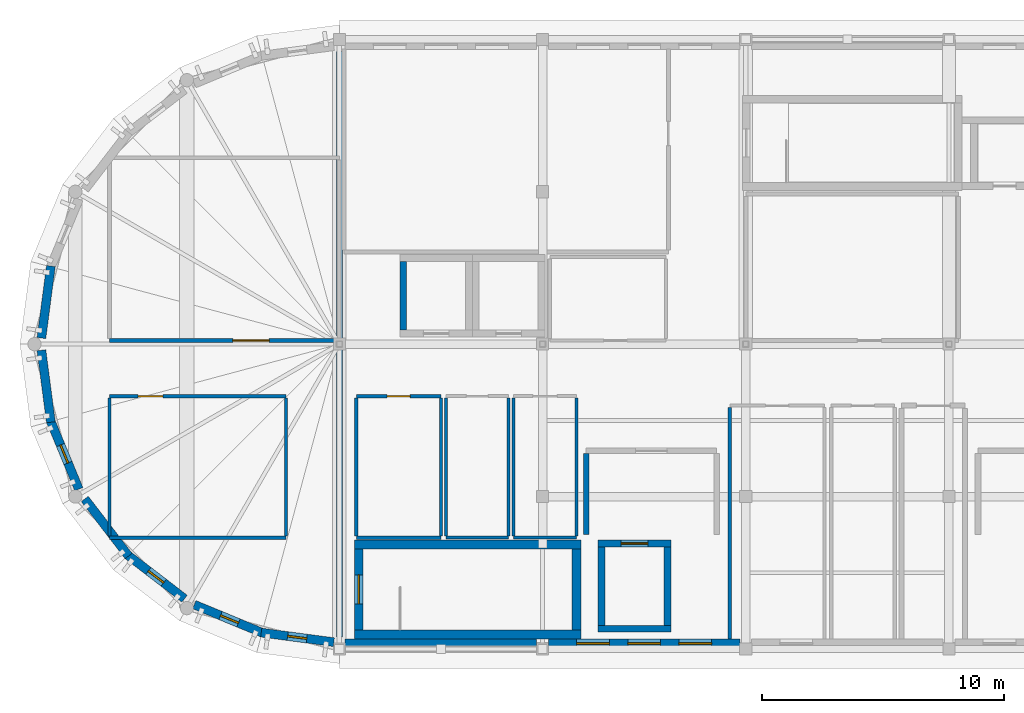
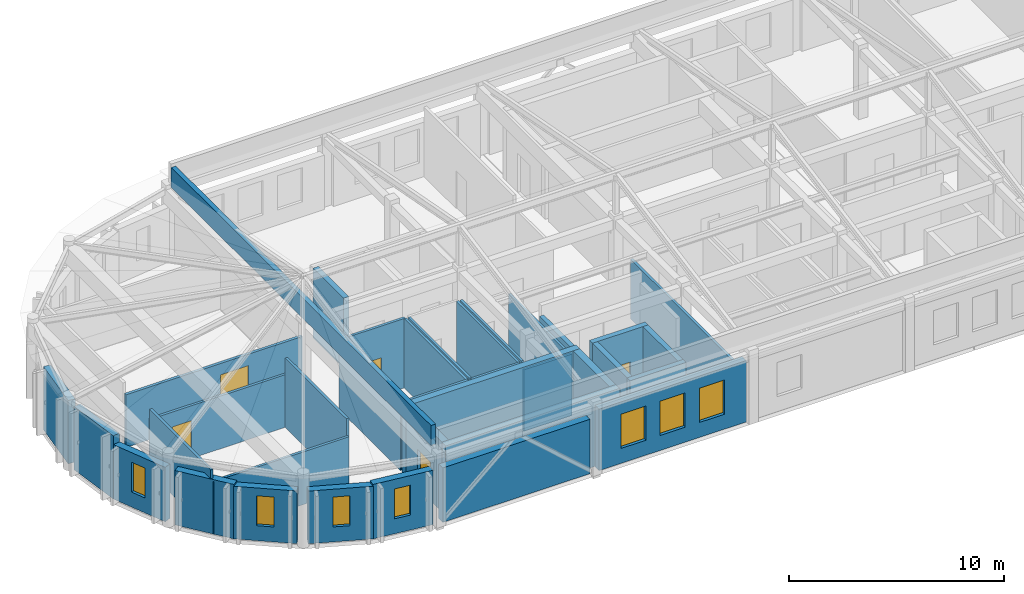
# One storey, part 6 of 11: 36 walls, 7 windows, 5 doors, 12 openings.
"""IFC4 building model written with IfcOpenShell, lengths in metres."""

from ifc_helpers import new_model, si_unit, direction, frame, frame_2d, origin, place, context, subcontext, project, spatial, rectangle, extrude, material, layer, layer_set, type_object, element, fill, save


model = new_model("IFC4")

# Units and contexts
model_context = context("Model", 3, precision=1e-05, world=origin(), true_north=direction((0.0, 1.0)))
body_context = subcontext(model_context, "Body", "Model", "MODEL_VIEW")
ifc_project = project(units=[si_unit("LENGTHUNIT", "METRE"), si_unit("AREAUNIT", "SQUARE_METRE"), si_unit("VOLUMEUNIT", "CUBIC_METRE"), si_unit("PLANEANGLEUNIT", "RADIAN"), si_unit("MASSUNIT", "GRAM", prefix="KILO")], contexts=[model_context])

# Site, building, storey
site_placement = place(None, origin())
site = spatial("IfcSite", under=ifc_project, at=site_placement, CompositionType="ELEMENT")
building_placement = place(site_placement, origin())
building = spatial("IfcBuilding", under=site, at=building_placement, Name="Tarnavel Promenade Courthouse", CompositionType="ELEMENT")
storey_placement = place(building_placement, frame((0.0, 0.0, 35.39990234375)))
storey = spatial("IfcBuildingStorey", under=building, at=storey_placement, Name="L09", CompositionType="ELEMENT", Elevation=35.39990234375)

# Wall, opening, door
ifc_material_1 = material(Name="Acoustic Insulated Gypsum Stud Partition", Category="gypsum")
ifc_layer_1 = layer(ifc_material_1, 0.14990234375)
ifc_layer_set_1 = layer_set([ifc_layer_1], Name="Acoustic Insulated Gypsum Stud Partition")
wall_type_1 = type_object("IfcWallType", Name="Acoustic Insulated Gypsum Stud Partition WL-LIB-150 (150 mm)", PredefinedType="PARTITIONING", material=ifc_layer_set_1)
wall_1_placement = place(storey_placement, frame((58.800048828125, 91.949951171875, 0.0), z_axis=(0.0, 0.0, 1.0), x_axis=(-1.0, 0.0, 0.0)))
wall_1 = element("IfcWall", 1, at=wall_1_placement, inside=storey, type_object=wall_type_1, Name="L09 L09 West Drum Rotunda Library North Partition 1046", PredefinedType="PARTITIONING", context=body_context, shape_type="SweptSolid", body=[
    extrude(rectangle(XDim=9.5, YDim=0.14990234375, at=frame_2d((4.75, 0.0))), origin(), (0.0, 0.0, 1.0), 2.9951171875),
])
opening_1_placement = place(wall_1_placement, frame((2.905029296875, 0.0, 0.0)))
opening_1 = element("IfcOpeningElement", 2, at=opening_1_placement, cuts=wall_1, Name="Opening ID-05", PredefinedType="OPENING", context=body_context, shape_type="SweptSolid", body=[
    extrude(rectangle(XDim=1.5, YDim=2.35009765625, at=frame_2d((0.75, 1.175048828125))), frame((0.0, 0.0849609375, 0.0), z_axis=(0.0, -1.0, 0.0), x_axis=(1.0, 0.0, 0.0)), (0.0, 0.0, 1.0), 0.169921875),
])
ifc_material_2 = material(Name="Glazed Oak Law Library Double Door")
door_type_1 = type_object("IfcDoorType", Name="Glazed Oak Law Library Double Door (DR-LIB-1500x2350)", OperationType="NOTDEFINED", PredefinedType="DOOR", material=ifc_material_2)
door_1_placement = place(opening_1_placement, origin())
door_1 = element("IfcDoor", 3, at=door_1_placement, inside=storey, type_object=door_type_1, Name="L09 L09 West Drum Rotunda Library North Door 0298", OperationType="DOUBLE_DOOR_SINGLE_SWING", OverallHeight=2.35009765625, OverallWidth=1.5, PredefinedType="DOOR", context=body_context, shape_type="SweptSolid", body=[
    extrude(rectangle(XDim=1.5, YDim=2.35009765625, at=frame_2d((0.75, 1.175048828125))), frame((0.0, 0.02490234375, 0.0), z_axis=(0.0, -1.0, 0.0), x_axis=(1.0, 0.0, 0.0)), (0.0, 0.0, 1.0), 0.050048828125),
])
fill(opening_1, door_1)

ifc_material_3 = material(Name="Concrete C40/50", Category="concrete")
ifc_layer_2 = layer(ifc_material_3, 0.280029296875)
ifc_layer_set_2 = layer_set([ifc_layer_2], Name="Concrete C40/50")
wall_type_2 = type_object("IfcWallType", Name="Concrete C40/50 WL-SHR-280 (280 mm)", PredefinedType="SHEAR", material=ifc_layer_set_2)
wall_2_placement = place(storey_placement, frame((69.5, 83.56005859375, 0.0), z_axis=(0.0, 0.0, 1.0), x_axis=(1.0, 0.0, 0.0)))
wall_2 = element("IfcWall", 4, at=wall_2_placement, inside=storey, type_object=wall_type_2, Name="L09 L-FF1 Lift Shaft North Wall", PredefinedType="SHEAR", context=body_context, shape_type="SweptSolid", body=[
    extrude(rectangle(XDim=3.0, YDim=0.280029296875, at=frame_2d((1.5, 0.0))), origin(), (0.0, 0.0, 1.0), 3.97998046875),
])
opening_2_placement = place(wall_2_placement, frame((0.949951171875, 0.0, 0.0)))
opening_2 = element("IfcOpeningElement", 5, at=opening_2_placement, cuts=wall_2, Name="Opening LD-01", PredefinedType="OPENING", context=body_context, shape_type="SweptSolid", body=[
    extrude(rectangle(XDim=1.10009765625, YDim=2.199951171875, at=frame_2d((0.550048828125, 1.10009765625))), frame((0.0, 0.14990234375, 0.0), z_axis=(0.0, -1.0, 0.0), x_axis=(1.0, 0.0, 0.0)), (0.0, 0.0, 1.0), 0.300048828125),
])
ifc_material_4 = material(Name="Stainless Steel Firefighting Lift Landing Sliding Door", Category="steel")
door_type_2 = type_object("IfcDoorType", Name="Stainless Steel Firefighting Lift Landing Sliding Door (LD-FF-1100x2200)", OperationType="NOTDEFINED", PredefinedType="DOOR", material=ifc_material_4)
door_2_placement = place(opening_2_placement, origin())
door_2 = element("IfcDoor", 6, at=door_2_placement, inside=storey, type_object=door_type_2, Name="L09 L-FF1 Lift Sliding Landing Door", OperationType="DOUBLE_DOOR_SLIDING", OverallHeight=2.199951171875, OverallWidth=1.10009765625, PredefinedType="DOOR", context=body_context, shape_type="SweptSolid", body=[
    extrude(rectangle(XDim=1.10009765625, YDim=2.199951171875, at=frame_2d((0.550048828125, 1.10009765625))), frame((0.0, 0.02490234375, 0.0), z_axis=(0.0, -1.0, 0.0), x_axis=(1.0, 0.0, 0.0)), (0.0, 0.0, 1.0), 0.050048828125),
])
fill(opening_2, door_2)

# Walls
wall_3_placement = place(storey_placement, frame((72.5, 80.0400390625, 0.0), z_axis=(0.0, 0.0, 1.0), x_axis=(-1.0, 0.0, 0.0)))
element("IfcWall", 7, at=wall_3_placement, inside=storey, type_object=wall_type_2, Name="L09 L-FF1 Lift Shaft South Wall", PredefinedType="SHEAR", context=body_context, shape_type="SweptSolid", body=[
    extrude(rectangle(XDim=3.0, YDim=0.280029296875, at=frame_2d((1.5, 0.0))), origin(), (0.0, 0.0, 1.0), 3.97998046875),
])
for number, where, z_axis, x_axis, name in (
    (8, (69.639892578125, 80.179931640625, 0.0), (0.0, 0.0, 1.0), (0.0, 1.0, 0.0), "L09 L-FF1 Lift Shaft West Wall"),
    (9, (72.360107421875, 83.419921875, 0.0), (0.0, 0.0, 1.0), (0.0, -1.0, 0.0), "L09 L-FF1 Lift Shaft East Wall"),
):
    element("IfcWall", number, at=place(storey_placement, frame(where, z_axis=z_axis, x_axis=x_axis)), inside=storey, type_object=wall_type_2, Name=name, PredefinedType="SHEAR", context=body_context, shape_type="SweptSolid", body=[
        extrude(rectangle(XDim=3.239990234375, YDim=0.280029296875, at=frame_2d((1.6201171875, 0.0))), origin(), (0.0, 0.0, 1.0), 3.97998046875),
    ])
wall_4_placement = place(storey_placement, frame((61.43994140625, 92.3798828125, 0.0), z_axis=(0.0, 0.0, 1.0), x_axis=(0.0, 1.0, 0.0)))
element("IfcWall", 10, at=wall_4_placement, inside=storey, type_object=wall_type_2, Name="L09 L-PUB1 Lift Shaft West Wall", PredefinedType="SHEAR", context=body_context, shape_type="SweptSolid", body=[
    extrude(rectangle(XDim=2.840087890625, YDim=0.280029296875, at=frame_2d((1.419921875, 0.0))), origin(), (0.0, 0.0, 1.0), 3.97998046875),
])
ifc_layer_3 = layer(ifc_material_3, 0.360107421875)
ifc_layer_set_3 = layer_set([ifc_layer_3], Name="Concrete C40/50")
wall_type_3 = type_object("IfcWallType", Name="Concrete C40/50 WL-SHR-360 (360 mm)", PredefinedType="SHEAR", material=ifc_layer_set_3)
for number, where, z_axis, x_axis, name in (
    (11, (59.419921875, 83.52001953125, 0.0), (0.0, 0.0, 1.0), (1.0, 0.0, 0.0), "L09 ST-01 Shear Core North Wall"),
    (12, (68.780029296875, 79.800048828125, 0.0), (0.0, 0.0, 1.0), (-1.0, 0.0, 0.0), "L09 ST-01 Shear Core South Wall"),
):
    element("IfcWall", number, at=place(storey_placement, frame(where, z_axis=z_axis, x_axis=x_axis)), inside=storey, type_object=wall_type_3, Name=name, PredefinedType="SHEAR", context=body_context, shape_type="SweptSolid", body=[
        extrude(rectangle(XDim=9.360107421875, YDim=0.360107421875, at=frame_2d((4.68017578125, 0.0))), origin(), (0.0, 0.0, 1.0), 3.97998046875),
    ])

# Wall, opening, door
wall_5_placement = place(storey_placement, frame((59.60009765625, 79.97998046875, 0.0), z_axis=(0.0, 0.0, 1.0), x_axis=(0.0, 1.0, 0.0)))
wall_5 = element("IfcWall", 13, at=wall_5_placement, inside=storey, type_object=wall_type_3, Name="L09 ST-01 Shear Core West Landing Wall", PredefinedType="SHEAR", context=body_context, shape_type="SweptSolid", body=[
    extrude(rectangle(XDim=3.360107421875, YDim=0.360107421875, at=frame_2d((1.68017578125, 0.0))), origin(), (0.0, 0.0, 1.0), 3.97998046875),
])
opening_3_placement = place(wall_5_placement, frame((1.080078125, 0.0, 0.0)))
opening_3 = element("IfcOpeningElement", 14, at=opening_3_placement, cuts=wall_5, Name="Opening FD-02", PredefinedType="OPENING", context=body_context, shape_type="SweptSolid", body=[
    extrude(rectangle(XDim=1.199951171875, YDim=2.199951171875, at=frame_2d((0.60009765625, 1.10009765625))), frame((0.0, 0.18994140625, 0.0), z_axis=(0.0, -1.0, 0.0), x_axis=(1.0, 0.0, 0.0)), (0.0, 0.0, 1.0), 0.380126953125),
])
ifc_material_5 = material(Name="Steel Fire-Rated Firefighting Stair Door", Category="steel")
door_type_3 = type_object("IfcDoorType", Name="Steel Fire-Rated Firefighting Stair Door (DR-ST-1200x2200)", OperationType="NOTDEFINED", PredefinedType="DOOR", material=ifc_material_5)
door_3_placement = place(opening_3_placement, origin())
door_3 = element("IfcDoor", 15, at=door_3_placement, inside=storey, type_object=door_type_3, Name="L09 ST-01 Protected Exit Stair Door", OperationType="SINGLE_SWING_LEFT", OverallHeight=2.199951171875, OverallWidth=1.199951171875, PredefinedType="DOOR", context=body_context, shape_type="SweptSolid", body=[
    extrude(rectangle(XDim=1.199951171875, YDim=2.199951171875, at=frame_2d((0.60009765625, 1.10009765625))), frame((0.0, 0.02490234375, 0.0), z_axis=(0.0, -1.0, 0.0), x_axis=(1.0, 0.0, 0.0)), (0.0, 0.0, 1.0), 0.050048828125),
])
fill(opening_3, door_3)

# Walls
wall_6_placement = place(storey_placement, frame((68.60009765625, 83.340087890625, 0.0), z_axis=(0.0, 0.0, 1.0), x_axis=(0.0, -1.0, 0.0)))
element("IfcWall", 16, at=wall_6_placement, inside=storey, type_object=wall_type_3, Name="L09 ST-01 Shear Core East Wall", PredefinedType="SHEAR", context=body_context, shape_type="SweptSolid", body=[
    extrude(rectangle(XDim=3.360107421875, YDim=0.360107421875, at=frame_2d((1.68017578125, 0.0))), origin(), (0.0, 0.0, 1.0), 3.97998046875),
])
ifc_material_6 = material(Name="Concrete Masonry Fire Compartment Wall", Category="masonry")
ifc_layer_4 = layer(ifc_material_6, 0.22998046875)
ifc_layer_set_4 = layer_set([ifc_layer_4], Name="Concrete Masonry Fire Compartment Wall")
wall_type_4 = type_object("IfcWallType", Name="Concrete Masonry Fire Compartment Wall WL-CMP-230 (230 mm)", PredefinedType="STANDARD", material=ifc_layer_set_4)
wall_7_placement = place(storey_placement, frame((69.0, 83.925048828125, 0.0), z_axis=(0.0, 0.0, 1.0), x_axis=(0.0, 1.0, 0.0)))
element("IfcWall", 17, at=wall_7_placement, inside=storey, type_object=wall_type_4, Name="L09 Firefighting Lobby L-FF1 Partition 0990", PredefinedType="STANDARD", context=body_context, shape_type="SweptSolid", body=[
    extrude(rectangle(XDim=3.349853515625, YDim=0.22998046875, at=frame_2d((1.6748046875, 0.0))), origin(), (0.0, 0.0, 1.0), 3.39501953125),
])
ifc_material_7 = material(Name="Cream Brick Insulated Cavity Facade Assembly", Category="masonry")
ifc_layer_5 = layer(ifc_material_7, 0.3798828125)
ifc_layer_set_5 = layer_set([ifc_layer_5], Name="Cream Brick Insulated Cavity Facade Assembly")
wall_type_5 = type_object("IfcWallType", Name="Cream Brick Insulated Cavity Facade Assembly WL-EXT-380 (380 mm)", PredefinedType="STANDARD", material=ifc_layer_set_5)
wall_8_placement = place(storey_placement, frame((66.9580078125, 79.419921875, 0.0), z_axis=(0.0, 0.0, 1.0), x_axis=(-1.0, 0.0, 0.0)))
element("IfcWall", 18, at=wall_8_placement, inside=storey, type_object=wall_type_5, Name="L09 Bar South Limestone Facade 0243", PredefinedType="STANDARD", context=body_context, shape_type="SweptSolid", body=[
    extrude(rectangle(XDim=7.9208984375, YDim=0.3798828125, at=frame_2d((3.96044921875, 0.0))), origin(), (0.0, 0.0, 1.0), 3.09521484375),
])

# Wall, openings, windows
wall_9_placement = place(storey_placement, frame((75.35791015625, 79.419921875, 0.0), z_axis=(0.0, 0.0, 1.0), x_axis=(-1.0, 0.0, 0.0)))
wall_9 = element("IfcWall", 19, at=wall_9_placement, inside=storey, type_object=wall_type_5, Name="L09 Bar South Limestone Facade 0244", PredefinedType="STANDARD", context=body_context, shape_type="SweptSolid", body=[
    extrude(rectangle(XDim=7.916015625, YDim=0.3798828125, at=frame_2d((3.9580078125, 0.0))), origin(), (0.0, 0.0, 1.0), 3.4951171875),
])
opening_4_placement = place(wall_9_placement, frame((1.169677734375, 0.0, 0.85009765625)))
opening_4 = element("IfcOpeningElement", 20, at=opening_4_placement, cuts=wall_9, Name="Opening W-04", PredefinedType="OPENING", context=body_context, shape_type="SweptSolid", body=[
    extrude(rectangle(XDim=1.35009765625, YDim=1.949951171875, at=frame_2d((0.675048828125, 0.97509765625))), frame((0.0, 0.199951171875, 0.0), z_axis=(0.0, -1.0, 0.0), x_axis=(1.0, 0.0, 0.0)), (0.0, 0.0, 1.0), 0.39990234375),
])
opening_5_placement = place(wall_9_placement, frame((3.282958984375, 0.0, 0.85009765625)))
opening_5 = element("IfcOpeningElement", 21, at=opening_5_placement, cuts=wall_9, Name="Opening W-04", PredefinedType="OPENING", context=body_context, shape_type="SweptSolid", body=[
    extrude(rectangle(XDim=1.35009765625, YDim=1.949951171875, at=frame_2d((0.675048828125, 0.97509765625))), frame((0.0, 0.199951171875, 0.0), z_axis=(0.0, -1.0, 0.0), x_axis=(1.0, 0.0, 0.0)), (0.0, 0.0, 1.0), 0.39990234375),
])
opening_6_placement = place(wall_9_placement, frame((5.396240234375, 0.0, 0.85009765625)))
opening_6 = element("IfcOpeningElement", 22, at=opening_6_placement, cuts=wall_9, Name="Opening W-04", PredefinedType="OPENING", context=body_context, shape_type="SweptSolid", body=[
    extrude(rectangle(XDim=1.35009765625, YDim=1.949951171875, at=frame_2d((0.675048828125, 0.97509765625))), frame((0.0, 0.199951171875, 0.0), z_axis=(0.0, -1.0, 0.0), x_axis=(1.0, 0.0, 0.0)), (0.0, 0.0, 1.0), 0.39990234375),
])
ifc_material_8 = material(Name="Triple Low-E Glazed Bronze-Clad Window Assembly")
window_type_1 = type_object("IfcWindowType", Name="Triple-Glazed Bronze-Clad Timber-Aluminium WIN-CHM-1350x1950", PartitioningType="SINGLE_PANEL", PredefinedType="WINDOW", material=ifc_material_8)
window_1_placement = place(opening_4_placement, origin())
window_1 = element("IfcWindow", 23, at=window_1_placement, inside=storey, type_object=window_type_1, Name="L09 Exterior Window 0210", OverallHeight=1.949951171875, OverallWidth=1.35009765625, PartitioningType="SINGLE_PANEL", PredefinedType="WINDOW", context=body_context, shape_type="SweptSolid", body=[
    extrude(rectangle(XDim=1.35009765625, YDim=1.949951171875, at=frame_2d((0.675048828125, 0.97509765625))), frame((0.0, 0.030029296875, 0.0), z_axis=(0.0, -1.0, 0.0), x_axis=(1.0, 0.0, 0.0)), (0.0, 0.0, 1.0), 0.06005859375),
])
fill(opening_4, window_1)
window_2_placement = place(opening_5_placement, origin())
window_2 = element("IfcWindow", 24, at=window_2_placement, inside=storey, type_object=window_type_1, Name="L09 Exterior Window 0211", OverallHeight=1.949951171875, OverallWidth=1.35009765625, PartitioningType="SINGLE_PANEL", PredefinedType="WINDOW", context=body_context, shape_type="SweptSolid", body=[
    extrude(rectangle(XDim=1.35009765625, YDim=1.949951171875, at=frame_2d((0.675048828125, 0.97509765625))), frame((0.0, 0.030029296875, 0.0), z_axis=(0.0, -1.0, 0.0), x_axis=(1.0, 0.0, 0.0)), (0.0, 0.0, 1.0), 0.06005859375),
])
fill(opening_5, window_2)
window_3_placement = place(opening_6_placement, origin())
window_3 = element("IfcWindow", 25, at=window_3_placement, inside=storey, type_object=window_type_1, Name="L09 Exterior Window 0212", OverallHeight=1.949951171875, OverallWidth=1.35009765625, PartitioningType="SINGLE_PANEL", PredefinedType="WINDOW", context=body_context, shape_type="SweptSolid", body=[
    extrude(rectangle(XDim=1.35009765625, YDim=1.949951171875, at=frame_2d((0.675048828125, 0.97509765625))), frame((0.0, 0.030029296875, 0.0), z_axis=(0.0, -1.0, 0.0), x_axis=(1.0, 0.0, 0.0)), (0.0, 0.0, 1.0), 0.06005859375),
])
fill(opening_6, window_3)

# Wall
ifc_material_9 = material(Name="Limestone Coping Parapet Wall Assembly", Category="masonry")
ifc_layer_6 = layer(ifc_material_9, 0.2451171875)
ifc_layer_set_6 = layer_set([ifc_layer_6], Name="Limestone Coping Parapet Wall Assembly")
wall_type_6 = type_object("IfcWallType", Name="Limestone Coping Parapet Wall Assembly WL-PAR-245 (245 mm)", PredefinedType="PARAPET", material=ifc_layer_set_6)
wall_10_placement = place(storey_placement, frame((58.800048828125, 79.699951171875, 4.2001953125), z_axis=(0.0, 0.0, 1.0), x_axis=(0.0, 1.0, 0.0)))
element("IfcWall", 26, at=wall_10_placement, inside=storey, type_object=wall_type_6, Name="L09 L09 Top Crown Perimeter Parapet West 0476", PredefinedType="PARAPET", context=body_context, shape_type="SweptSolid", body=[
    extrude(rectangle(XDim=24.199951171875, YDim=0.2451171875, at=frame_2d((12.10009765625, 0.0))), origin(), (0.0, 0.0, 1.0), 1.14990234375),
])

# Wall, opening, door
ifc_material_10 = material(Name="Metal-Stud Acoustic Gypsum Partition", Category="gypsum")
ifc_layer_7 = layer(ifc_material_10, 0.135009765625)
ifc_layer_set_7 = layer_set([ifc_layer_7], Name="Metal-Stud Acoustic Gypsum Partition")
wall_type_7 = type_object("IfcWallType", Name="Metal-Stud Acoustic Gypsum Partition WL-OFF-135 (135 mm)", PredefinedType="PARTITIONING", material=ifc_layer_set_7)
wall_11_placement = place(storey_placement, frame((59.5, 89.64990234375, 0.0), z_axis=(0.0, 0.0, 1.0), x_axis=(1.0, 0.0, 0.0)))
wall_11 = element("IfcWall", 27, at=wall_11_placement, inside=storey, type_object=wall_type_7, Name="L09 L09 Bailiffs' Duty Room Partition 1011", PredefinedType="PARTITIONING", context=body_context, shape_type="SweptSolid", body=[
    extrude(rectangle(XDim=3.5, YDim=0.135009765625, at=frame_2d((1.75, 0.0))), origin(), (0.0, 0.0, 1.0), 3.9501953125),
])
opening_7_placement = place(wall_11_placement, frame((1.27490234375, 0.0, 0.0)))
opening_7 = element("IfcOpeningElement", 28, at=opening_7_placement, cuts=wall_11, Name="Opening ID-06", PredefinedType="OPENING", context=body_context, shape_type="SweptSolid", body=[
    extrude(rectangle(XDim=0.949951171875, YDim=2.14990234375, at=frame_2d((0.47509765625, 1.074951171875))), frame((0.0, 0.077392578125, 0.0), z_axis=(0.0, -1.0, 0.0), x_axis=(1.0, 0.0, 0.0)), (0.0, 0.0, 1.0), 0.155029296875),
])
ifc_material_11 = material(Name="Acoustic Timber Veneer Office Door", Category="wood")
door_type_4 = type_object("IfcDoorType", Name="Acoustic Timber Veneer Office Door (DR-OFF-0950x2150)", OperationType="NOTDEFINED", PredefinedType="DOOR", material=ifc_material_11)
door_4_placement = place(opening_7_placement, origin())
door_4 = element("IfcDoor", 29, at=door_4_placement, inside=storey, type_object=door_type_4, Name="L09 L09 Bailiffs' Duty Room Door 0288", OperationType="SINGLE_SWING_LEFT", OverallHeight=2.14990234375, OverallWidth=0.949951171875, PredefinedType="DOOR", context=body_context, shape_type="SweptSolid", body=[
    extrude(rectangle(XDim=0.949951171875, YDim=2.14990234375, at=frame_2d((0.47509765625, 1.074951171875))), frame((0.0, 0.02490234375, 0.0), z_axis=(0.0, -1.0, 0.0), x_axis=(1.0, 0.0, 0.0)), (0.0, 0.0, 1.0), 0.050048828125),
])
fill(opening_7, door_4)

# Walls
wall_12_placement = place(storey_placement, frame((63.0, 83.800048828125, 0.0), z_axis=(0.0, 0.0, 1.0), x_axis=(-1.0, 0.0, 0.0)))
element("IfcWall", 30, at=wall_12_placement, inside=storey, type_object=wall_type_7, Name="L09 L09 Bailiffs' Duty Room Partition 1012", PredefinedType="PARTITIONING", context=body_context, shape_type="SweptSolid", body=[
    extrude(rectangle(XDim=3.5, YDim=0.135009765625, at=frame_2d((1.75, 0.0))), origin(), (0.0, 0.0, 1.0), 3.9501953125),
])
for number, where, z_axis, x_axis, name in (
    (31, (59.5, 83.87744140625, 0.0), (0.0, 0.0, 1.0), (0.0, 1.0, 0.0), "L09 L09 Bailiffs' Duty Room Partition 1013"),
    (32, (63.0, 89.572509765625, 0.0), (0.0, 0.0, 1.0), (0.0, -1.0, 0.0), "L09 L09 Bailiffs' Duty Room Partition 1014"),
):
    element("IfcWall", number, at=place(storey_placement, frame(where, z_axis=z_axis, x_axis=x_axis)), inside=storey, type_object=wall_type_7, Name=name, PredefinedType="PARTITIONING", context=body_context, shape_type="SweptSolid", body=[
        extrude(rectangle(XDim=5.695068359375, YDim=0.135009765625, at=frame_2d((2.84765625, 0.0))), origin(), (0.0, 0.0, 1.0), 3.9501953125),
    ])
wall_13_placement = place(storey_placement, frame((74.93994140625, 79.60400390625, 0.0), z_axis=(0.0, 0.0, 1.0), x_axis=(0.0, 1.0, 0.0)))
element("IfcWall", 33, at=wall_13_placement, inside=storey, type_object=wall_type_7, Name="L09 Judges' Dining and Collegium Banquet Hall Partition 1037", PredefinedType="PARTITIONING", context=body_context, shape_type="SweptSolid", body=[
    extrude(rectangle(XDim=9.57861328125, YDim=0.135009765625, at=frame_2d((4.789306640625, 0.0))), origin(), (0.0, 0.0, 1.0), 3.39501953125),
])

# Wall, opening, door
wall_14_placement = place(storey_placement, frame((49.300048828125, 89.64990234375, 0.0), z_axis=(0.0, 0.0, 1.0), x_axis=(1.0, 0.0, 0.0)))
wall_14 = element("IfcWall", 34, at=wall_14_placement, inside=storey, type_object=wall_type_7, Name="L09 L09 West Drum Rotunda Salon South Partition 1049", PredefinedType="PARTITIONING", context=body_context, shape_type="SweptSolid", body=[
    extrude(rectangle(XDim=7.300048828125, YDim=0.135009765625, at=frame_2d((3.64990234375, 0.0))), origin(), (0.0, 0.0, 1.0), 2.9951171875),
])
opening_8_placement = place(wall_14_placement, frame((1.18701171875, 0.0, 0.0)))
opening_8 = element("IfcOpeningElement", 35, at=opening_8_placement, cuts=wall_14, Name="Opening ID-07", PredefinedType="OPENING", context=body_context, shape_type="SweptSolid", body=[
    extrude(rectangle(XDim=1.02001953125, YDim=2.14990234375, at=frame_2d((0.510009765625, 1.074951171875))), frame((0.0, 0.077392578125, 0.0), z_axis=(0.0, -1.0, 0.0), x_axis=(1.0, 0.0, 0.0)), (0.0, 0.0, 1.0), 0.155029296875),
])
ifc_material_12 = material(Name="Acoustic Timber Seminar Room Door", Category="wood")
door_type_5 = type_object("IfcDoorType", Name="Acoustic Timber Seminar Room Door (DR-MTG-1020x2150)", OperationType="NOTDEFINED", PredefinedType="DOOR", material=ifc_material_12)
door_5_placement = place(opening_8_placement, origin())
door_5 = element("IfcDoor", 36, at=door_5_placement, inside=storey, type_object=door_type_5, Name="L09 L09 West Drum Rotunda Salon South Door 0299", OperationType="SINGLE_SWING_LEFT", OverallHeight=2.14990234375, OverallWidth=1.02001953125, PredefinedType="DOOR", context=body_context, shape_type="SweptSolid", body=[
    extrude(rectangle(XDim=1.02001953125, YDim=2.14990234375, at=frame_2d((0.510009765625, 1.074951171875))), frame((0.0, 0.02490234375, 0.0), z_axis=(0.0, -1.0, 0.0), x_axis=(1.0, 0.0, 0.0)), (0.0, 0.0, 1.0), 0.050048828125),
])
fill(opening_8, door_5)

# Walls
wall_15_placement = place(storey_placement, frame((56.60009765625, 83.800048828125, 0.0), z_axis=(0.0, 0.0, 1.0), x_axis=(-1.0, 0.0, 0.0)))
element("IfcWall", 37, at=wall_15_placement, inside=storey, type_object=wall_type_7, Name="L09 L09 West Drum Rotunda Salon South Partition 1050", PredefinedType="PARTITIONING", context=body_context, shape_type="SweptSolid", body=[
    extrude(rectangle(XDim=7.300048828125, YDim=0.135009765625, at=frame_2d((3.64990234375, 0.0))), origin(), (0.0, 0.0, 1.0), 2.9951171875),
])
wall_16_placement = place(storey_placement, frame((49.300048828125, 83.87744140625, 0.0), z_axis=(0.0, 0.0, 1.0), x_axis=(0.0, 1.0, 0.0)))
element("IfcWall", 38, at=wall_16_placement, inside=storey, type_object=wall_type_7, Name="L09 L09 West Drum Rotunda Salon South Partition 1051", PredefinedType="PARTITIONING", context=body_context, shape_type="SweptSolid", body=[
    extrude(rectangle(XDim=5.695068359375, YDim=0.135009765625, at=frame_2d((2.84765625, 0.0))), origin(), (0.0, 0.0, 1.0), 3.59521484375),
])
wall_17_placement = place(storey_placement, frame((56.60009765625, 89.572509765625, 0.0), z_axis=(0.0, 0.0, 1.0), x_axis=(0.0, -1.0, 0.0)))
element("IfcWall", 39, at=wall_17_placement, inside=storey, type_object=wall_type_7, Name="L09 L09 West Drum Rotunda Salon South Partition 1052", PredefinedType="PARTITIONING", context=body_context, shape_type="SweptSolid", body=[
    extrude(rectangle(XDim=5.695068359375, YDim=0.135009765625, at=frame_2d((2.84765625, 0.0))), origin(), (0.0, 0.0, 1.0), 3.9501953125),
])
ifc_material_13 = material(Name="Moisture-Resistant Tile-Backed Stud Partition", Category="gypsum")
ifc_layer_8 = layer(ifc_material_13, 0.125)
ifc_layer_set_8 = layer_set([ifc_layer_8], Name="Moisture-Resistant Tile-Backed Stud Partition")
wall_type_8 = type_object("IfcWallType", Name="Moisture-Resistant Tile-Backed Stud Partition WL-WET-125 (125 mm)", PredefinedType="PARTITIONING", material=ifc_layer_set_8)
wall_18_placement = place(storey_placement, frame((65.800048828125, 83.800048828125, 0.0), z_axis=(0.0, 0.0, 1.0), x_axis=(-1.0, 0.0, 0.0)))
element("IfcWall", 40, at=wall_18_placement, inside=storey, type_object=wall_type_8, Name="L09 Public WC Partition 0996", PredefinedType="PARTITIONING", context=body_context, shape_type="SweptSolid", body=[
    extrude(rectangle(XDim=2.60009765625, YDim=0.125, at=frame_2d((1.300048828125, 0.0))), origin(), (0.0, 0.0, 1.0), 3.9501953125),
])
for number, where, z_axis, x_axis, name in (
    (41, (63.199951171875, 83.87255859375, 0.0), (0.0, 0.0, 1.0), (0.0, 1.0, 0.0), "L09 Public WC Partition 0997"),
    (42, (65.800048828125, 89.577392578125, 0.0), (0.0, 0.0, 1.0), (0.0, -1.0, 0.0), "L09 Public WC Partition 0998"),
):
    element("IfcWall", number, at=place(storey_placement, frame(where, z_axis=z_axis, x_axis=x_axis)), inside=storey, type_object=wall_type_8, Name=name, PredefinedType="PARTITIONING", context=body_context, shape_type="SweptSolid", body=[
        extrude(rectangle(XDim=5.704833984375, YDim=0.125, at=frame_2d((2.8525390625, 0.0))), origin(), (0.0, 0.0, 1.0), 3.9501953125),
    ])
wall_19_placement = place(storey_placement, frame((68.60009765625, 83.800048828125, 0.0), z_axis=(0.0, 0.0, 1.0), x_axis=(-1.0, 0.0, 0.0)))
element("IfcWall", 43, at=wall_19_placement, inside=storey, type_object=wall_type_8, Name="L09 Accessible WC Partition 1000", PredefinedType="PARTITIONING", context=body_context, shape_type="SweptSolid", body=[
    extrude(rectangle(XDim=2.60009765625, YDim=0.125, at=frame_2d((1.300048828125, 0.0))), origin(), (0.0, 0.0, 1.0), 3.4951171875),
])
wall_20_placement = place(storey_placement, frame((66.0, 83.87255859375, 0.0), z_axis=(0.0, 0.0, 1.0), x_axis=(0.0, 1.0, 0.0)))
element("IfcWall", 44, at=wall_20_placement, inside=storey, type_object=wall_type_8, Name="L09 Accessible WC Partition 1001", PredefinedType="PARTITIONING", context=body_context, shape_type="SweptSolid", body=[
    extrude(rectangle(XDim=5.704833984375, YDim=0.125, at=frame_2d((2.8525390625, 0.0))), origin(), (0.0, 0.0, 1.0), 3.9501953125),
])
wall_21_placement = place(storey_placement, frame((68.60009765625, 89.577392578125, 0.0), z_axis=(0.0, 0.0, 1.0), x_axis=(0.0, -1.0, 0.0)))
element("IfcWall", 45, at=wall_21_placement, inside=storey, type_object=wall_type_8, Name="L09 Accessible WC Partition 1002", PredefinedType="PARTITIONING", context=body_context, shape_type="SweptSolid", body=[
    extrude(rectangle(XDim=5.704833984375, YDim=0.125, at=frame_2d((2.8525390625, 0.0))), origin(), (0.0, 0.0, 1.0), 3.39501953125),
])
ifc_material_14 = material(Name="Patinated Copper-Bronze Insulated Drum Wall Assembly", Category="masonry")
ifc_layer_9 = layer(ifc_material_14, 0.364990234375)
ifc_layer_set_9 = layer_set([ifc_layer_9], Name="Patinated Copper-Bronze Insulated Drum Wall Assembly")
wall_type_9 = type_object("IfcWallType", Name="Patinated Copper-Bronze Insulated Drum Wall Assembly WL-DRUM-365 (365 mm)", PredefinedType="ELEMENTEDWALL", material=ifc_layer_set_9)
for number, where, z_axis, x_axis, name in (
    (46, (46.877197265625, 95.028564453125, 0.0), (0.0, 0.0, 1.0), (-0.130517619253, -0.991445989989, 0.0), "L09 W Copper Drum Chord Wall 06 0253"),
    (47, (46.4853515625, 91.548095703125, 0.0), (0.0, 0.0, 1.0), (0.130517619253, -0.991445989989, 0.0), "L09 W Copper Drum Chord Wall 07 0254"),
):
    element("IfcWall", number, at=place(storey_placement, frame(where, z_axis=z_axis, x_axis=x_axis)), inside=storey, type_object=wall_type_9, Name=name, PredefinedType="ELEMENTEDWALL", context=body_context, shape_type="SweptSolid", body=[
        extrude(rectangle(XDim=3.002197265625, YDim=0.364990234375, at=frame_2d((1.5009765625, 0.0))), origin(), (0.0, 0.0, 1.0), 3.59521484375),
    ])

# Wall, opening, window
wall_22_placement = place(storey_placement, frame((46.8603515625, 88.634521484375, 0.0), z_axis=(0.0, 0.0, 1.0), x_axis=(0.382689777405, -0.923876904284, 0.0)))
wall_22 = element("IfcWall", 48, at=wall_22_placement, inside=storey, type_object=wall_type_9, Name="L09 W Copper Drum Chord Wall 08 0255", PredefinedType="ELEMENTEDWALL", context=body_context, shape_type="SweptSolid", body=[
    extrude(rectangle(XDim=3.062255859375, YDim=0.364990234375, at=frame_2d((1.53125, 0.0))), origin(), (0.0, 0.0, 1.0), 3.09521484375),
])
opening_9_placement = place(wall_22_placement, frame((1.087158203125, 0.0, 0.85009765625)))
opening_9 = element("IfcOpeningElement", 49, at=opening_9_placement, cuts=wall_22, Name="Opening W-09", PredefinedType="OPENING", context=body_context, shape_type="SweptSolid", body=[
    extrude(rectangle(XDim=0.800048828125, YDim=1.699951171875, at=frame_2d((0.39990234375, 0.85009765625))), frame((0.0, 0.1923828125, 0.0), z_axis=(0.0, -1.0, 0.0), x_axis=(1.0, 0.0, 0.0)), (0.0, 0.0, 1.0), 0.385009765625),
])
window_type_2 = type_object("IfcWindowType", Name="Triple-Glazed Bronze-Clad Timber-Aluminium WIN-DRM-0800x1700", PartitioningType="SINGLE_PANEL", PredefinedType="WINDOW", material=ifc_material_8)
window_4_placement = place(opening_9_placement, origin())
window_4 = element("IfcWindow", 50, at=window_4_placement, inside=storey, type_object=window_type_2, Name="L09 Exterior Window 0221", OverallHeight=1.699951171875, OverallWidth=0.800048828125, PartitioningType="SINGLE_PANEL", PredefinedType="WINDOW", context=body_context, shape_type="SweptSolid", body=[
    extrude(rectangle(XDim=0.800048828125, YDim=1.699951171875, at=frame_2d((0.39990234375, 0.85009765625))), frame((0.0, 0.030029296875, 0.0), z_axis=(0.0, -1.0, 0.0), x_axis=(1.0, 0.0, 0.0)), (0.0, 0.0, 1.0), 0.06005859375),
])
fill(opening_9, window_4)

# Wall
wall_23_placement = place(storey_placement, frame((48.2783203125, 85.40234375, 0.0), z_axis=(0.0, 0.0, 1.0), x_axis=(0.608710660898, -0.793392293452, 0.0)))
element("IfcWall", 51, at=wall_23_placement, inside=storey, type_object=wall_type_9, Name="L09 W Copper Drum Chord Wall 09 0256", PredefinedType="ELEMENTEDWALL", context=body_context, shape_type="SweptSolid", body=[
    extrude(rectangle(XDim=2.974365234375, YDim=0.364990234375, at=frame_2d((1.4873046875, 0.0))), origin(), (0.0, 0.0, 1.0), 3.09521484375),
])

# Wall, opening, window
wall_24_placement = place(storey_placement, frame((50.042724609375, 83.0888671875, 0.0), z_axis=(0.0, 0.0, 1.0), x_axis=(0.793361877219, -0.608750303306, 0.0)))
wall_24 = element("IfcWall", 52, at=wall_24_placement, inside=storey, type_object=wall_type_9, Name="L09 W Copper Drum Chord Wall 10 0257", PredefinedType="ELEMENTEDWALL", context=body_context, shape_type="SweptSolid", body=[
    extrude(rectangle(XDim=2.97412109375, YDim=0.364990234375, at=frame_2d((1.487060546875, 0.0))), origin(), (0.0, 0.0, 1.0), 2.9951171875),
])
opening_10_placement = place(wall_24_placement, frame((1.087158203125, 0.0, 0.85009765625)))
opening_10 = element("IfcOpeningElement", 53, at=opening_10_placement, cuts=wall_24, Name="Opening W-09", PredefinedType="OPENING", context=body_context, shape_type="SweptSolid", body=[
    extrude(rectangle(XDim=0.800048828125, YDim=1.699951171875, at=frame_2d((0.39990234375, 0.85009765625))), frame((0.0, 0.1923828125, 0.0), z_axis=(0.0, -1.0, 0.0), x_axis=(1.0, 0.0, 0.0)), (0.0, 0.0, 1.0), 0.385009765625),
])
window_5_placement = place(opening_10_placement, origin())
window_5 = element("IfcWindow", 54, at=window_5_placement, inside=storey, type_object=window_type_2, Name="L09 Exterior Window 0222", OverallHeight=1.699951171875, OverallWidth=0.800048828125, PartitioningType="SINGLE_PANEL", PredefinedType="WINDOW", context=body_context, shape_type="SweptSolid", body=[
    extrude(rectangle(XDim=0.800048828125, YDim=1.699951171875, at=frame_2d((0.39990234375, 0.85009765625))), frame((0.0, 0.030029296875, 0.0), z_axis=(0.0, -1.0, 0.0), x_axis=(1.0, 0.0, 0.0)), (0.0, 0.0, 1.0), 0.06005859375),
])
fill(opening_10, window_5)

wall_25_placement = place(storey_placement, frame((52.805419921875, 81.0322265625, 0.0), z_axis=(0.0, 0.0, 1.0), x_axis=(0.923876904284, -0.382689777405, 0.0)))
wall_25 = element("IfcWall", 55, at=wall_25_placement, inside=storey, type_object=wall_type_9, Name="L09 W Copper Drum Chord Wall 11 0258", PredefinedType="ELEMENTEDWALL", context=body_context, shape_type="SweptSolid", body=[
    extrude(rectangle(XDim=3.062255859375, YDim=0.364990234375, at=frame_2d((1.53125, 0.0))), origin(), (0.0, 0.0, 1.0), 2.9951171875),
])
opening_11_placement = place(wall_25_placement, frame((1.175048828125, 0.0, 0.85009765625)))
opening_11 = element("IfcOpeningElement", 56, at=opening_11_placement, cuts=wall_25, Name="Opening W-09", PredefinedType="OPENING", context=body_context, shape_type="SweptSolid", body=[
    extrude(rectangle(XDim=0.800048828125, YDim=1.699951171875, at=frame_2d((0.39990234375, 0.85009765625))), frame((0.0, 0.1923828125, 0.0), z_axis=(0.0, -1.0, 0.0), x_axis=(1.0, 0.0, 0.0)), (0.0, 0.0, 1.0), 0.385009765625),
])
window_6_placement = place(opening_11_placement, origin())
window_6 = element("IfcWindow", 57, at=window_6_placement, inside=storey, type_object=window_type_2, Name="L09 Exterior Window 0223", OverallHeight=1.699951171875, OverallWidth=0.800048828125, PartitioningType="SINGLE_PANEL", PredefinedType="WINDOW", context=body_context, shape_type="SweptSolid", body=[
    extrude(rectangle(XDim=0.800048828125, YDim=1.699951171875, at=frame_2d((0.39990234375, 0.85009765625))), frame((0.0, 0.030029296875, 0.0), z_axis=(0.0, -1.0, 0.0), x_axis=(1.0, 0.0, 0.0)), (0.0, 0.0, 1.0), 0.06005859375),
])
fill(opening_11, window_6)

wall_26_placement = place(storey_placement, frame((55.571533203125, 79.877197265625, 0.0), z_axis=(0.0, 0.0, 1.0), x_axis=(0.991438641413, -0.130573428817, 0.0)))
wall_26 = element("IfcWall", 58, at=wall_26_placement, inside=storey, type_object=wall_type_9, Name="L09 W Copper Drum Chord Wall 12 0259", PredefinedType="ELEMENTEDWALL", context=body_context, shape_type="SweptSolid", body=[
    extrude(rectangle(XDim=3.027099609375, YDim=0.364990234375, at=frame_2d((1.513671875, 0.0))), origin(), (0.0, 0.0, 1.0), 3.09521484375),
])
opening_12_placement = place(wall_26_placement, frame((1.099609375, 0.0, 0.85009765625)))
opening_12 = element("IfcOpeningElement", 59, at=opening_12_placement, cuts=wall_26, Name="Opening W-09", PredefinedType="OPENING", context=body_context, shape_type="SweptSolid", body=[
    extrude(rectangle(XDim=0.800048828125, YDim=1.699951171875, at=frame_2d((0.39990234375, 0.85009765625))), frame((0.0, 0.1923828125, 0.0), z_axis=(0.0, -1.0, 0.0), x_axis=(1.0, 0.0, 0.0)), (0.0, 0.0, 1.0), 0.385009765625),
])
window_7_placement = place(opening_12_placement, origin())
window_7 = element("IfcWindow", 60, at=window_7_placement, inside=storey, type_object=window_type_2, Name="L09 Exterior Window 0224", OverallHeight=1.699951171875, OverallWidth=0.800048828125, PartitioningType="SINGLE_PANEL", PredefinedType="WINDOW", context=body_context, shape_type="SweptSolid", body=[
    extrude(rectangle(XDim=0.800048828125, YDim=1.699951171875, at=frame_2d((0.39990234375, 0.85009765625))), frame((0.0, 0.030029296875, 0.0), z_axis=(0.0, -1.0, 0.0), x_axis=(1.0, 0.0, 0.0)), (0.0, 0.0, 1.0), 0.06005859375),
])
fill(opening_12, window_7)

save(model, "model.ifc")
